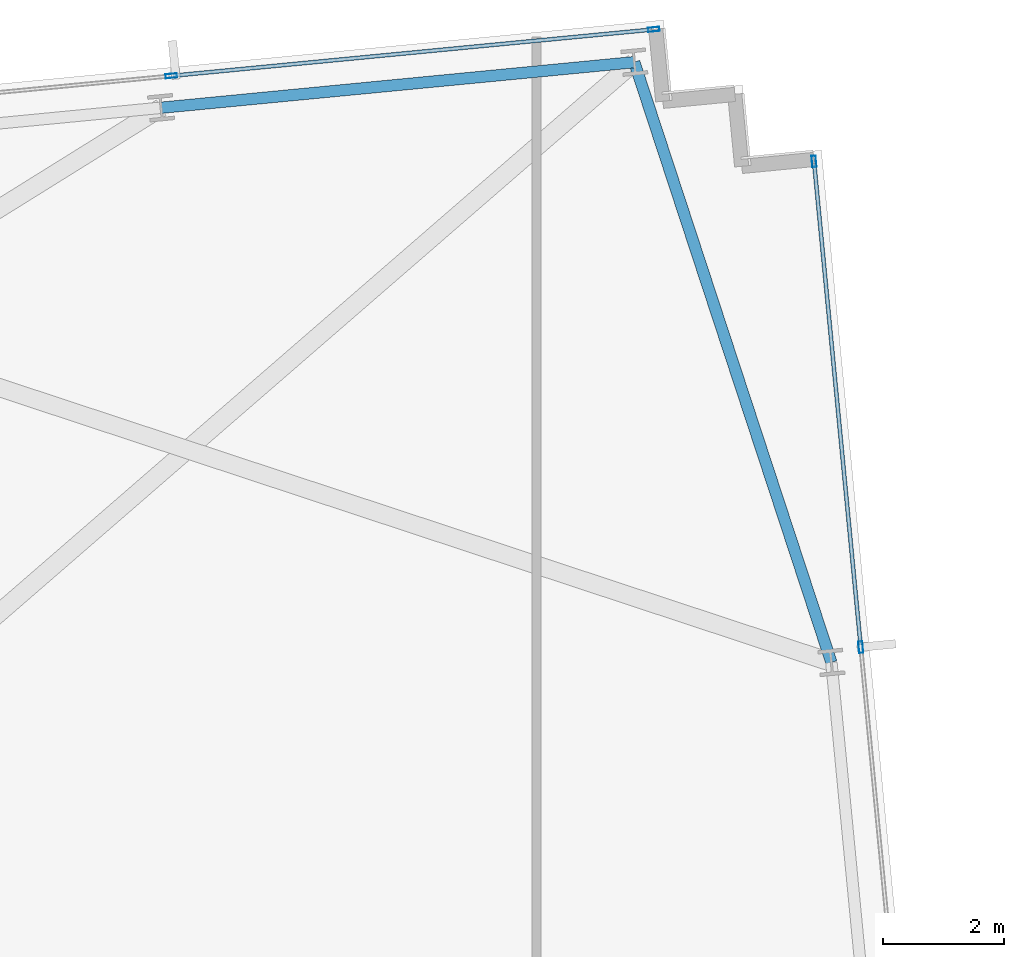
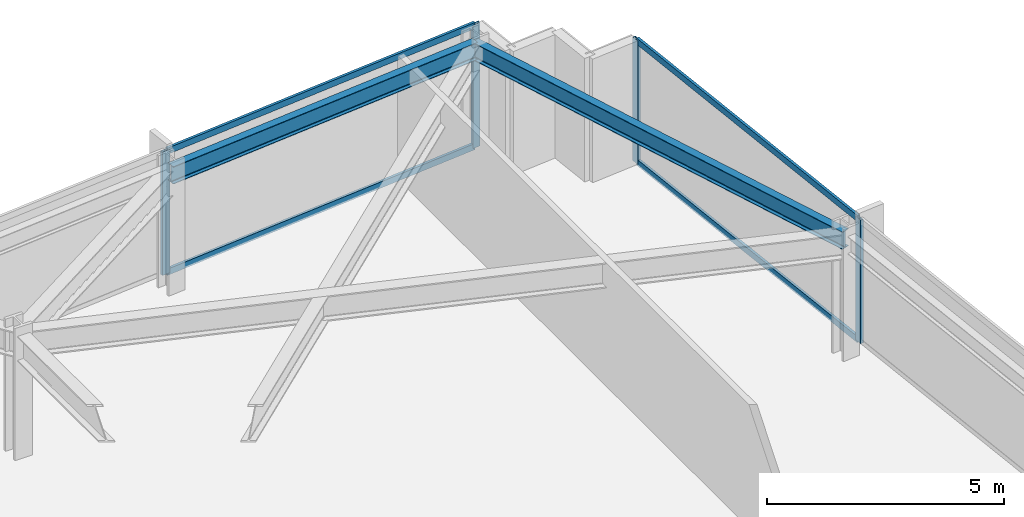
# One storey, part 23 of 33: 8 members, 2 beams, 2 elements without a shape of their own.
"""IFC4 building model written with IfcOpenShell, lengths in metres."""

from ifc_helpers import new_model, si_unit, direction, frame, origin, origin_2d, place, context, subcontext, project, spatial, hollow_rectangle, i_section, extrude, material, material_profile, profile_set, type_object, element, aggregate, save


model = new_model("IFC4")

# Units and contexts
model_context = context("Model", 3, precision=1e-05, world=origin(), true_north=direction((0.0, 1.0)))
body_context = subcontext(model_context, "Body", "Model", "MODEL_VIEW")
ifc_project = project(units=[si_unit("LENGTHUNIT", "METRE"), si_unit("AREAUNIT", "SQUARE_METRE"), si_unit("VOLUMEUNIT", "CUBIC_METRE"), si_unit("PLANEANGLEUNIT", "RADIAN"), si_unit("MASSUNIT", "GRAM", prefix="KILO")], contexts=[model_context])

# Site, building, storey
site_placement = place(None, origin())
site = spatial("IfcSite", under=ifc_project, at=site_placement, CompositionType="ELEMENT")
building_placement = place(site_placement, origin())
building = spatial("IfcBuilding", under=site, at=building_placement, Name="Yelkora Congress Tower", CompositionType="ELEMENT")
storey_placement = place(building_placement, frame((0.0, 0.0, 106.699951171875)))
storey = spatial("IfcBuildingStorey", under=building, at=storey_placement, Name="L28", CompositionType="ELEMENT", Elevation=106.699951171875)

# Beams
ifc_material_1 = material(Name="Steel S355J2", Category="steel")
ifc_material_profile_1 = material_profile(ifc_material_1, i_section(OverallWidth=0.18994140625, OverallDepth=0.449951171875, WebThickness=0.009521484375, FlangeThickness=0.0146484375, FilletRadius=0.02099609375, at=origin_2d()), Name="IPE 450")
ifc_profile_set_1 = profile_set([ifc_material_profile_1], Name="Steel S355J2")
beam_type = type_object("IfcBeamType", Name="BM-SPAN-IPE450", PredefinedType="SPANDREL", material=ifc_profile_set_1)
beam_1_placement = place(storey_placement, frame((74.522216796875, 40.610595703125, 2.955078125), z_axis=(-0.311961656523, 0.950094692575, 0.0), x_axis=(-0.950094692575, -0.311961656523, 0.0)))
element("IfcBeam", 1, at=beam_1_placement, inside=storey, type_object=beam_type, Name="L28 Perimeter Beam 13", PredefinedType="SPANDREL", context=body_context, shape_type="SweptSolid", body=[
    extrude(i_section(OverallWidth=0.18994140625, OverallDepth=0.449951171875, WebThickness=0.009521484375, FlangeThickness=0.0146484375, FilletRadius=0.02099609375, at=origin_2d()), origin(), (0.0, 0.0, 1.0), 10.48046875),
])
beam_2_placement = place(storey_placement, frame((71.252685546875, 50.568115234375, 2.955078125), z_axis=(-0.995392621281, -0.095882894719, 0.0), x_axis=(0.095882894719, -0.995392621281, 0.0)))
element("IfcBeam", 2, at=beam_2_placement, inside=storey, type_object=beam_type, Name="L28 Perimeter Beam 14", PredefinedType="SPANDREL", context=body_context, shape_type="SweptSolid", body=[
    extrude(i_section(OverallWidth=0.18994140625, OverallDepth=0.449951171875, WebThickness=0.009521484375, FlangeThickness=0.0146484375, FilletRadius=0.02099609375, at=origin_2d()), origin(), (0.0, 0.0, 1.0), 7.8857421875),
])

# Curtain wall, members
ifc_material_2 = material(Name="Anodised aluminium and insulated glass", Category="aluminium")
curtain_wall_type = type_object("IfcCurtainWallType", Name="CW-SYS-B2", PredefinedType="NOTDEFINED", material=ifc_material_2)
curtain_wall_1_placement = place(storey_placement, origin())
curtain_wall_1 = element("IfcCurtainWall", 3, at=curtain_wall_1_placement, inside=storey, type_object=curtain_wall_type, Name="L28 Unitised Curtain Wall 10 (3)", PredefinedType="NOTDEFINED")
ifc_material_3 = material(Name="Anodised aluminium 6063-T6", Category="aluminium")
ifc_material_profile_2 = material_profile(ifc_material_3, hollow_rectangle(XDim=0.070068359375, YDim=0.18994140625, WallThickness=0.00390625, at=origin_2d()), Name="ALU 70x190x4")
ifc_profile_set_2 = profile_set([ifc_material_profile_2], Name="Anodised aluminium 6063-T6")
member_type_1 = type_object("IfcMemberType", Name="MEM-ML-B2", PredefinedType="MULLION", material=ifc_profile_set_2)
member_1_placement = place(storey_placement, frame((63.572021484375, 50.3408203125, 0.0), z_axis=(0.0, 0.0, 1.0), x_axis=(-0.095844238468, 0.995396344153, 0.0)))
member_1 = element("IfcMember", 4, at=member_1_placement, type_object=member_type_1, Name="CW-B2 mullion 6", PredefinedType="MULLION", context=body_context, shape_type="SweptSolid", body=[
    extrude(hollow_rectangle(XDim=0.070068359375, YDim=0.18994140625, WallThickness=0.00390625, at=origin_2d()), origin(), (0.0, 0.0, 1.0), 3.179931640625),
])
member_2_placement = place(storey_placement, frame((71.5771484375, 51.111572265625, 0.0), z_axis=(0.0, 0.0, 1.0), x_axis=(-0.095844238468, 0.995396344153, 0.0)))
member_2 = element("IfcMember", 5, at=member_2_placement, type_object=member_type_1, Name="CW-B2 mullion 7", PredefinedType="MULLION", context=body_context, shape_type="SweptSolid", body=[
    extrude(hollow_rectangle(XDim=0.070068359375, YDim=0.18994140625, WallThickness=0.00390625, at=origin_2d()), origin(), (0.0, 0.0, 1.0), 3.179931640625),
])

curtain_wall_2_placement = place(storey_placement, origin())
curtain_wall_2 = element("IfcCurtainWall", 6, at=curtain_wall_2_placement, inside=storey, type_object=curtain_wall_type, Name="L28 Unitised Curtain Wall 15", PredefinedType="NOTDEFINED")
member_3_placement = place(storey_placement, frame((74.234375, 48.921142578125, 0.0), z_axis=(0.0, 0.0, 1.0), x_axis=(0.995396507508, 0.095842541913, 0.0)))
member_3 = element("IfcMember", 7, at=member_3_placement, type_object=member_type_1, Name="CW-B2 mullion 1", PredefinedType="MULLION", context=body_context, shape_type="SweptSolid", body=[
    extrude(hollow_rectangle(XDim=0.070068359375, YDim=0.18994140625, WallThickness=0.00390625, at=origin_2d()), origin(), (0.0, 0.0, 1.0), 3.179931640625),
])
member_4_placement = place(storey_placement, frame((75.010009765625, 40.863525390625, 0.0), z_axis=(0.0, 0.0, 1.0), x_axis=(0.995396507508, 0.095842541913, 0.0)))
member_4 = element("IfcMember", 8, at=member_4_placement, type_object=member_type_1, Name="CW-B2 mullion 2", PredefinedType="MULLION", context=body_context, shape_type="SweptSolid", body=[
    extrude(hollow_rectangle(XDim=0.070068359375, YDim=0.18994140625, WallThickness=0.00390625, at=origin_2d()), origin(), (0.0, 0.0, 1.0), 3.179931640625),
])

# Member
ifc_material_profile_3 = material_profile(ifc_material_3, hollow_rectangle(XDim=0.06494140625, YDim=0.159912109375, WallThickness=0.00390625, at=origin_2d()), Name="ALU 65x160x4")
ifc_profile_set_3 = profile_set([ifc_material_profile_3], Name="Anodised aluminium 6063-T6")
member_type_2 = type_object("IfcMemberType", Name="MEM-TR-B2", PredefinedType="USERDEFINED", material=ifc_profile_set_3)
member_5_placement = place(storey_placement, frame((63.606689453125, 50.343994140625, 0.032470703125), z_axis=(0.995395553311, 0.095852451448, 0.0), x_axis=(-0.095852451448, 0.995395553311, 0.0)))
member_5 = element("IfcMember", 9, at=member_5_placement, type_object=member_type_2, Name="CW-B2 transom 6.1", ObjectType="TRANSOM", PredefinedType="USERDEFINED", context=body_context, shape_type="SweptSolid", body=[
    extrude(hollow_rectangle(XDim=0.06494140625, YDim=0.159912109375, WallThickness=0.00390625, at=origin_2d()), origin(), (0.0, 0.0, 1.0), 7.97216796875),
])

member_6_placement = place(storey_placement, frame((63.606689453125, 50.343994140625, 3.1474609375), z_axis=(0.995395553311, 0.095852451448, 0.0), x_axis=(-0.095852451448, 0.995395553311, 0.0)))
member_6 = element("IfcMember", 10, at=member_6_placement, type_object=member_type_2, Name="CW-B2 transom 6.2", ObjectType="TRANSOM", PredefinedType="USERDEFINED", context=body_context, shape_type="SweptSolid", body=[
    extrude(hollow_rectangle(XDim=0.06494140625, YDim=0.159912109375, WallThickness=0.00390625, at=origin_2d()), origin(), (0.0, 0.0, 1.0), 7.97216796875),
])

aggregate(curtain_wall_1, [member_1, member_2, member_5, member_6])

member_7_placement = place(storey_placement, frame((74.237548828125, 48.88623046875, 0.032470703125), z_axis=(0.095861385662, -0.995394692943, 0.0), x_axis=(0.995394692943, 0.095861385662, 0.0)))
member_7 = element("IfcMember", 11, at=member_7_placement, type_object=member_type_2, Name="CW-B2 transom 1.1", ObjectType="TRANSOM", PredefinedType="USERDEFINED", context=body_context, shape_type="SweptSolid", body=[
    extrude(hollow_rectangle(XDim=0.06494140625, YDim=0.159912109375, WallThickness=0.00390625, at=origin_2d()), origin(), (0.0, 0.0, 1.0), 8.02490234375),
])

member_8_placement = place(storey_placement, frame((74.237548828125, 48.88623046875, 3.1474609375), z_axis=(0.095861385662, -0.995394692943, 0.0), x_axis=(0.995394692943, 0.095861385662, 0.0)))
member_8 = element("IfcMember", 12, at=member_8_placement, type_object=member_type_2, Name="CW-B2 transom 1.2", ObjectType="TRANSOM", PredefinedType="USERDEFINED", context=body_context, shape_type="SweptSolid", body=[
    extrude(hollow_rectangle(XDim=0.06494140625, YDim=0.159912109375, WallThickness=0.00390625, at=origin_2d()), origin(), (0.0, 0.0, 1.0), 8.02490234375),
])

aggregate(curtain_wall_2, [member_3, member_4, member_7, member_8])

save(model, "model.ifc")
